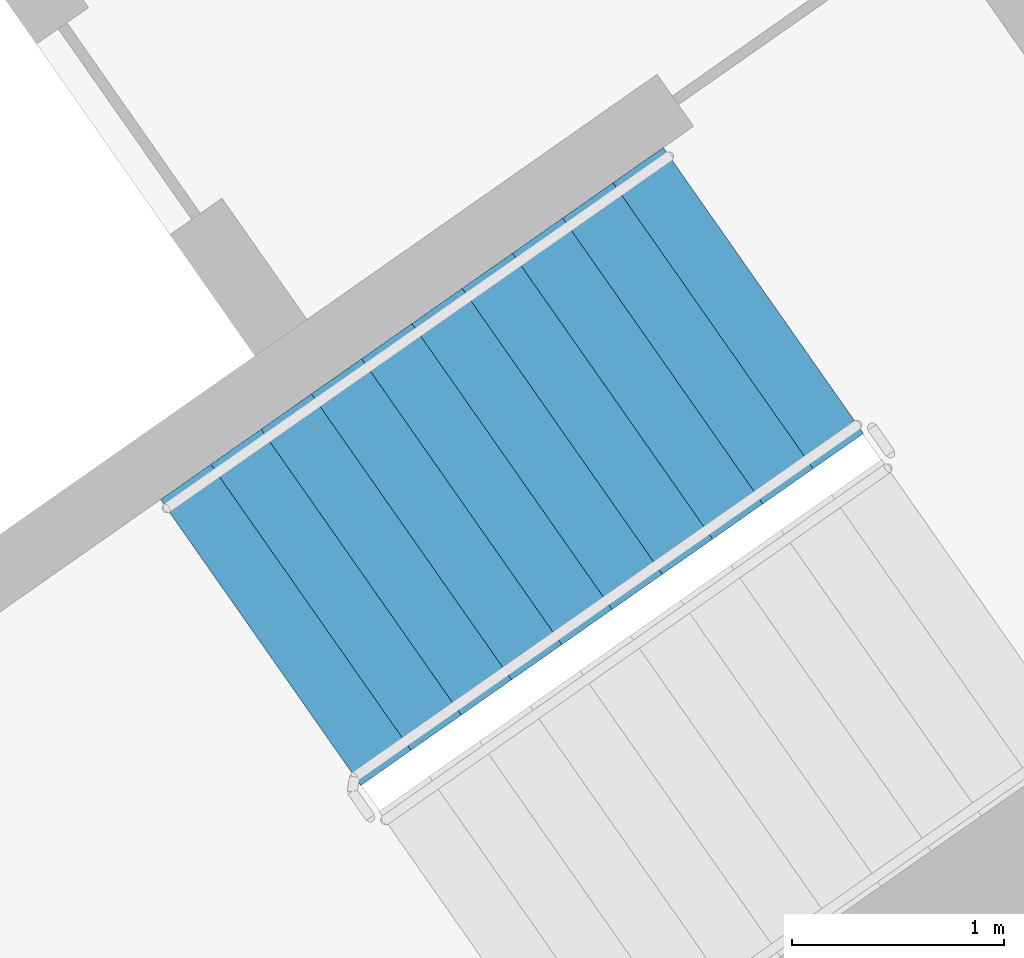
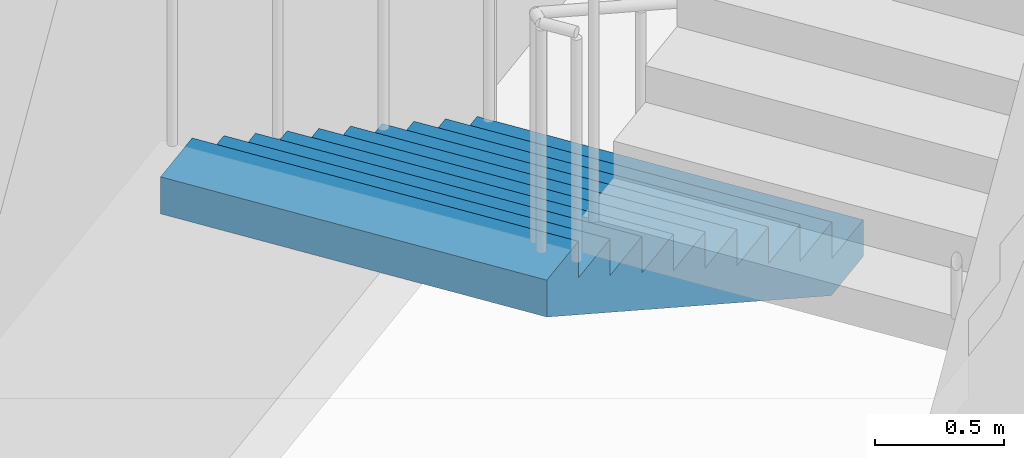
# One storey, part 13 of 28: 1 stair flight, 1 element without a shape of its own.
"""IFC4 building model written with IfcOpenShell, lengths in metres."""

from ifc_helpers import new_model, si_unit, direction, frame, origin, place, context, subcontext, project, spatial, faceted_brep, material, type_object, element, aggregate, save


model = new_model("IFC4")

# Units and contexts
model_context = context("Model", 3, precision=1e-05, world=origin(), true_north=direction((0.0, 1.0)))
body_context = subcontext(model_context, "Body", "Model", "MODEL_VIEW")
ifc_project = project(units=[si_unit("LENGTHUNIT", "METRE"), si_unit("AREAUNIT", "SQUARE_METRE"), si_unit("VOLUMEUNIT", "CUBIC_METRE"), si_unit("PLANEANGLEUNIT", "RADIAN"), si_unit("MASSUNIT", "GRAM", prefix="KILO")], contexts=[model_context])

# Site, building, storey
site_placement = place(None, origin())
site = spatial("IfcSite", under=ifc_project, at=site_placement, CompositionType="ELEMENT")
building_placement = place(site_placement, origin())
building = spatial("IfcBuilding", under=site, at=building_placement, Name="Qamariyya Broadcast Tower", CompositionType="ELEMENT")
storey_placement = place(building_placement, frame((0.0, 0.0, 249.300048828125)))
storey = spatial("IfcBuildingStorey", under=building, at=storey_placement, Name="L60", CompositionType="ELEMENT", Elevation=249.300048828125)

# Stair, stair flight
ifc_material = material(Name="Concrete C50/60", Category="concrete")
stair_type = type_object("IfcStairType", Name="Exit stair 22 risers of 173 mm", PredefinedType="HALF_TURN_STAIR", material=ifc_material)
stair_placement = place(storey_placement, origin())
stair = element("IfcStair", 1, at=stair_placement, inside=storey, type_object=stair_type, Name="L60 Stair E1", PredefinedType="HALF_TURN_STAIR")
stair_flight_type = type_object("IfcStairFlightType", Name="Exit stair flight 11 risers of 173 mm", PredefinedType="STRAIGHT", material=ifc_material)
stair_flight_placement = place(storey_placement, frame((46.036376953125, -55.508056640625, 0.0), z_axis=(0.0, 0.0, 1.0), x_axis=(-0.819152044289, -0.573576436351, 0.0)))
stair_flight = element("IfcStairFlight", 2, at=stair_flight_placement, type_object=stair_flight_type, Name="ST-E1 flight 1", NumberOfRisers=11, NumberOfTreads=10, PredefinedType="STRAIGHT", RiserHeight=0.172727273, TreadLength=0.29, context=body_context, shape_type="Brep", body=[
    faceted_brep([(0.0, 0.824951171875, 0.0), (0.0, 0.824951171875, 0.172607421875), (0.2900390625, 0.824951171875, 0.172607421875), (0.2900390625, 0.824951171875, 0.345458984375), (0.580078125, 0.824951171875, 0.345458984375), (0.580078125, 0.824951171875, 0.51806640625), (0.8701171875, 0.824951171875, 0.51806640625), (0.8701171875, 0.824951171875, 0.69091796875), (1.159912109375, 0.824951171875, 0.69091796875), (1.159912109375, 0.824951171875, 0.863525390625), (1.449951171875, 0.824951171875, 0.863525390625), (1.449951171875, 0.824951171875, 1.036376953125), (1.739990234375, 0.824951171875, 1.036376953125), (1.739990234375, 0.824951171875, 1.208984375), (2.030029296875, 0.824951171875, 1.208984375), (2.030029296875, 0.824951171875, 1.3818359375), (2.320068359375, 0.824951171875, 1.3818359375), (2.320068359375, 0.824951171875, 1.554443359375), (2.610107421875, 0.824951171875, 1.554443359375), (2.610107421875, 0.824951171875, 1.727294921875), (2.89990234375, 0.824951171875, 1.727294921875), (2.89990234375, 0.824951171875, 1.552734375), (0.29296875, 0.824951171875, 0.0), (0.29296875, -0.824951171875, 0.0), (2.89990234375, -0.824951171875, 1.552734375), (2.89990234375, -0.824951171875, 1.727294921875), (2.610107421875, -0.824951171875, 1.727294921875), (2.610107421875, -0.824951171875, 1.554443359375), (2.320068359375, -0.824951171875, 1.554443359375), (2.320068359375, -0.824951171875, 1.3818359375), (2.030029296875, -0.824951171875, 1.3818359375), (2.030029296875, -0.824951171875, 1.208984375), (1.739990234375, -0.824951171875, 1.208984375), (1.739990234375, -0.824951171875, 1.036376953125), (1.449951171875, -0.824951171875, 1.036376953125), (1.449951171875, -0.824951171875, 0.863525390625), (1.159912109375, -0.824951171875, 0.863525390625), (1.159912109375, -0.824951171875, 0.69091796875), (0.8701171875, -0.824951171875, 0.69091796875), (0.8701171875, -0.824951171875, 0.51806640625), (0.580078125, -0.824951171875, 0.51806640625), (0.580078125, -0.824951171875, 0.345458984375), (0.2900390625, -0.824951171875, 0.345458984375), (0.2900390625, -0.824951171875, 0.172607421875), (0.0, -0.824951171875, 0.172607421875), (0.0, -0.824951171875, 0.0), (0.0, 0.10009765625, 0.0), (0.0, 0.086669921875, 0.0), (0.0, 0.0732421875, 0.0), (0.0, 0.06005859375, 0.0), (0.0, 0.046630859375, 0.0), (0.0, 0.033447265625, 0.0), (0.0, 0.02001953125, 0.0), (0.0, 0.006591796875, 0.0), (0.0, -0.006591796875, 0.0), (0.0, -0.02001953125, 0.0), (0.0, -0.033447265625, 0.0), (0.0, -0.046630859375, 0.0), (0.0, -0.06005859375, 0.0), (0.0, -0.0732421875, 0.0), (0.0, -0.086669921875, 0.0), (0.0, -0.10009765625, 0.0), (0.0, -0.10009765625, 0.172607421875), (0.0, -0.086669921875, 0.172607421875), (0.0, -0.0732421875, 0.172607421875), (0.0, -0.06005859375, 0.172607421875), (0.0, -0.046630859375, 0.172607421875), (0.0, -0.033447265625, 0.172607421875), (0.0, -0.02001953125, 0.172607421875), (0.0, -0.006591796875, 0.172607421875), (0.0, 0.006591796875, 0.172607421875), (0.0, 0.02001953125, 0.172607421875), (0.0, 0.033447265625, 0.172607421875), (0.0, 0.046630859375, 0.172607421875), (0.0, 0.06005859375, 0.172607421875), (0.0, 0.0732421875, 0.172607421875), (0.0, 0.086669921875, 0.172607421875), (0.0, 0.10009765625, 0.172607421875), (0.2900390625, -0.10009765625, 0.172607421875), (0.2900390625, -0.086669921875, 0.172607421875), (0.2900390625, -0.0732421875, 0.172607421875), (0.2900390625, -0.06005859375, 0.172607421875), (0.2900390625, -0.046630859375, 0.172607421875), (0.2900390625, -0.033447265625, 0.172607421875), (0.2900390625, -0.02001953125, 0.172607421875), (0.2900390625, -0.006591796875, 0.172607421875), (0.2900390625, 0.006591796875, 0.172607421875), (0.2900390625, 0.02001953125, 0.172607421875), (0.2900390625, 0.033447265625, 0.172607421875), (0.2900390625, 0.046630859375, 0.172607421875), (0.2900390625, 0.06005859375, 0.172607421875), (0.2900390625, 0.0732421875, 0.172607421875), (0.2900390625, 0.086669921875, 0.172607421875), (0.2900390625, 0.10009765625, 0.172607421875), (0.2900390625, -0.10009765625, 0.345458984375), (0.2900390625, -0.086669921875, 0.345458984375), (0.2900390625, -0.0732421875, 0.345458984375), (0.2900390625, -0.06005859375, 0.345458984375), (0.2900390625, -0.046630859375, 0.345458984375), (0.2900390625, -0.033447265625, 0.345458984375), (0.2900390625, -0.02001953125, 0.345458984375), (0.2900390625, -0.006591796875, 0.345458984375), (0.2900390625, 0.006591796875, 0.345458984375), (0.2900390625, 0.02001953125, 0.345458984375), (0.2900390625, 0.033447265625, 0.345458984375), (0.2900390625, 0.046630859375, 0.345458984375), (0.2900390625, 0.06005859375, 0.345458984375), (0.2900390625, 0.0732421875, 0.345458984375), (0.2900390625, 0.086669921875, 0.345458984375), (0.2900390625, 0.10009765625, 0.345458984375), (0.580078125, -0.10009765625, 0.345458984375), (0.580078125, -0.086669921875, 0.345458984375), (0.580078125, -0.0732421875, 0.345458984375), (0.580078125, -0.06005859375, 0.345458984375), (0.580078125, -0.046630859375, 0.345458984375), (0.580078125, -0.033447265625, 0.345458984375), (0.580078125, -0.02001953125, 0.345458984375), (0.580078125, -0.006591796875, 0.345458984375), (0.580078125, 0.006591796875, 0.345458984375), (0.580078125, 0.02001953125, 0.345458984375), (0.580078125, 0.033447265625, 0.345458984375), (0.580078125, 0.046630859375, 0.345458984375), (0.580078125, 0.06005859375, 0.345458984375), (0.580078125, 0.0732421875, 0.345458984375), (0.580078125, 0.086669921875, 0.345458984375), (0.580078125, 0.10009765625, 0.345458984375), (0.580078125, -0.10009765625, 0.51806640625), (0.580078125, -0.086669921875, 0.51806640625), (0.580078125, -0.0732421875, 0.51806640625), (0.580078125, -0.06005859375, 0.51806640625), (0.580078125, -0.046630859375, 0.51806640625), (0.580078125, -0.033447265625, 0.51806640625), (0.580078125, -0.02001953125, 0.51806640625), (0.580078125, -0.006591796875, 0.51806640625), (0.580078125, 0.006591796875, 0.51806640625), (0.580078125, 0.02001953125, 0.51806640625), (0.580078125, 0.033447265625, 0.51806640625), (0.580078125, 0.046630859375, 0.51806640625), (0.580078125, 0.06005859375, 0.51806640625), (0.580078125, 0.0732421875, 0.51806640625), (0.580078125, 0.086669921875, 0.51806640625), (0.580078125, 0.10009765625, 0.51806640625), (0.8701171875, -0.10009765625, 0.51806640625), (0.8701171875, -0.086669921875, 0.51806640625), (0.8701171875, -0.0732421875, 0.51806640625), (0.8701171875, -0.06005859375, 0.51806640625), (0.8701171875, -0.046630859375, 0.51806640625), (0.8701171875, -0.033447265625, 0.51806640625), (0.8701171875, -0.02001953125, 0.51806640625), (0.8701171875, -0.006591796875, 0.51806640625), (0.8701171875, 0.006591796875, 0.51806640625), (0.8701171875, 0.02001953125, 0.51806640625), (0.8701171875, 0.033447265625, 0.51806640625), (0.8701171875, 0.046630859375, 0.51806640625), (0.8701171875, 0.06005859375, 0.51806640625), (0.8701171875, 0.0732421875, 0.51806640625), (0.8701171875, 0.086669921875, 0.51806640625), (0.8701171875, 0.10009765625, 0.51806640625), (0.8701171875, -0.10009765625, 0.69091796875), (0.8701171875, -0.086669921875, 0.69091796875), (0.8701171875, -0.0732421875, 0.69091796875), (0.8701171875, -0.06005859375, 0.69091796875), (0.8701171875, -0.046630859375, 0.69091796875), (0.8701171875, -0.033447265625, 0.69091796875), (0.8701171875, -0.02001953125, 0.69091796875), (0.8701171875, -0.006591796875, 0.69091796875), (0.8701171875, 0.006591796875, 0.69091796875), (0.8701171875, 0.02001953125, 0.69091796875), (0.8701171875, 0.033447265625, 0.69091796875), (0.8701171875, 0.046630859375, 0.69091796875), (0.8701171875, 0.06005859375, 0.69091796875), (0.8701171875, 0.0732421875, 0.69091796875), (0.8701171875, 0.086669921875, 0.69091796875), (0.8701171875, 0.10009765625, 0.69091796875), (1.159912109375, -0.10009765625, 0.69091796875), (1.159912109375, -0.086669921875, 0.69091796875), (1.159912109375, -0.0732421875, 0.69091796875), (1.159912109375, -0.06005859375, 0.69091796875), (1.159912109375, -0.046630859375, 0.69091796875), (1.159912109375, -0.033447265625, 0.69091796875), (1.159912109375, -0.02001953125, 0.69091796875), (1.159912109375, -0.006591796875, 0.69091796875), (1.159912109375, 0.006591796875, 0.69091796875), (1.159912109375, 0.02001953125, 0.69091796875), (1.159912109375, 0.033447265625, 0.69091796875), (1.159912109375, 0.046630859375, 0.69091796875), (1.159912109375, 0.06005859375, 0.69091796875), (1.159912109375, 0.0732421875, 0.69091796875), (1.159912109375, 0.086669921875, 0.69091796875), (1.159912109375, 0.10009765625, 0.69091796875), (1.159912109375, -0.10009765625, 0.863525390625), (1.159912109375, -0.086669921875, 0.863525390625), (1.159912109375, -0.0732421875, 0.863525390625), (1.159912109375, -0.06005859375, 0.863525390625), (1.159912109375, -0.046630859375, 0.863525390625), (1.159912109375, -0.033447265625, 0.863525390625), (1.159912109375, -0.02001953125, 0.863525390625), (1.159912109375, -0.006591796875, 0.863525390625), (1.159912109375, 0.006591796875, 0.863525390625), (1.159912109375, 0.02001953125, 0.863525390625), (1.159912109375, 0.033447265625, 0.863525390625), (1.159912109375, 0.046630859375, 0.863525390625), (1.159912109375, 0.06005859375, 0.863525390625), (1.159912109375, 0.0732421875, 0.863525390625), (1.159912109375, 0.086669921875, 0.863525390625), (1.159912109375, 0.10009765625, 0.863525390625), (1.449951171875, -0.10009765625, 0.863525390625), (1.449951171875, -0.086669921875, 0.863525390625), (1.449951171875, -0.0732421875, 0.863525390625), (1.449951171875, -0.06005859375, 0.863525390625), (1.449951171875, -0.046630859375, 0.863525390625), (1.449951171875, -0.033447265625, 0.863525390625), (1.449951171875, -0.02001953125, 0.863525390625), (1.449951171875, -0.006591796875, 0.863525390625), (1.449951171875, 0.006591796875, 0.863525390625), (1.449951171875, 0.02001953125, 0.863525390625), (1.449951171875, 0.033447265625, 0.863525390625), (1.449951171875, 0.046630859375, 0.863525390625), (1.449951171875, 0.06005859375, 0.863525390625), (1.449951171875, 0.0732421875, 0.863525390625), (1.449951171875, 0.086669921875, 0.863525390625), (1.449951171875, 0.10009765625, 0.863525390625), (1.449951171875, -0.10009765625, 1.036376953125), (1.449951171875, -0.086669921875, 1.036376953125), (1.449951171875, -0.0732421875, 1.036376953125), (1.449951171875, -0.06005859375, 1.036376953125), (1.449951171875, -0.046630859375, 1.036376953125), (1.449951171875, -0.033447265625, 1.036376953125), (1.449951171875, -0.02001953125, 1.036376953125), (1.449951171875, -0.006591796875, 1.036376953125), (1.449951171875, 0.006591796875, 1.036376953125), (1.449951171875, 0.02001953125, 1.036376953125), (1.449951171875, 0.033447265625, 1.036376953125), (1.449951171875, 0.046630859375, 1.036376953125), (1.449951171875, 0.06005859375, 1.036376953125), (1.449951171875, 0.0732421875, 1.036376953125), (1.449951171875, 0.086669921875, 1.036376953125), (1.449951171875, 0.10009765625, 1.036376953125), (1.739990234375, -0.10009765625, 1.036376953125), (1.739990234375, -0.086669921875, 1.036376953125), (1.739990234375, -0.0732421875, 1.036376953125), (1.739990234375, -0.06005859375, 1.036376953125), (1.739990234375, -0.046630859375, 1.036376953125), (1.739990234375, -0.033447265625, 1.036376953125), (1.739990234375, -0.02001953125, 1.036376953125), (1.739990234375, -0.006591796875, 1.036376953125), (1.739990234375, 0.006591796875, 1.036376953125), (1.739990234375, 0.02001953125, 1.036376953125), (1.739990234375, 0.033447265625, 1.036376953125), (1.739990234375, 0.046630859375, 1.036376953125), (1.739990234375, 0.06005859375, 1.036376953125), (1.739990234375, 0.0732421875, 1.036376953125), (1.739990234375, 0.086669921875, 1.036376953125), (1.739990234375, 0.10009765625, 1.036376953125), (1.739990234375, -0.10009765625, 1.208984375), (1.739990234375, -0.086669921875, 1.208984375), (1.739990234375, -0.0732421875, 1.208984375), (1.739990234375, -0.06005859375, 1.208984375), (1.739990234375, -0.046630859375, 1.208984375), (1.739990234375, -0.033447265625, 1.208984375), (1.739990234375, -0.02001953125, 1.208984375), (1.739990234375, -0.006591796875, 1.208984375), (1.739990234375, 0.006591796875, 1.208984375), (1.739990234375, 0.02001953125, 1.208984375), (1.739990234375, 0.033447265625, 1.208984375), (1.739990234375, 0.046630859375, 1.208984375), (1.739990234375, 0.06005859375, 1.208984375), (1.739990234375, 0.0732421875, 1.208984375), (1.739990234375, 0.086669921875, 1.208984375), (1.739990234375, 0.10009765625, 1.208984375), (2.030029296875, -0.10009765625, 1.208984375), (2.030029296875, -0.086669921875, 1.208984375), (2.030029296875, -0.0732421875, 1.208984375), (2.030029296875, -0.06005859375, 1.208984375), (2.030029296875, -0.046630859375, 1.208984375), (2.030029296875, -0.033447265625, 1.208984375), (2.030029296875, -0.02001953125, 1.208984375), (2.030029296875, -0.006591796875, 1.208984375), (2.030029296875, 0.006591796875, 1.208984375), (2.030029296875, 0.02001953125, 1.208984375), (2.030029296875, 0.033447265625, 1.208984375), (2.030029296875, 0.046630859375, 1.208984375), (2.030029296875, 0.06005859375, 1.208984375), (2.030029296875, 0.0732421875, 1.208984375), (2.030029296875, 0.086669921875, 1.208984375), (2.030029296875, 0.10009765625, 1.208984375), (2.030029296875, -0.10009765625, 1.3818359375), (2.030029296875, -0.086669921875, 1.3818359375), (2.030029296875, -0.0732421875, 1.3818359375), (2.030029296875, -0.06005859375, 1.3818359375), (2.030029296875, -0.046630859375, 1.3818359375), (2.030029296875, -0.033447265625, 1.3818359375), (2.030029296875, -0.02001953125, 1.3818359375), (2.030029296875, -0.006591796875, 1.3818359375), (2.030029296875, 0.006591796875, 1.3818359375), (2.030029296875, 0.02001953125, 1.3818359375), (2.030029296875, 0.033447265625, 1.3818359375), (2.030029296875, 0.046630859375, 1.3818359375), (2.030029296875, 0.06005859375, 1.3818359375), (2.030029296875, 0.0732421875, 1.3818359375), (2.030029296875, 0.086669921875, 1.3818359375), (2.030029296875, 0.10009765625, 1.3818359375), (2.320068359375, -0.10009765625, 1.3818359375), (2.320068359375, -0.086669921875, 1.3818359375), (2.320068359375, -0.0732421875, 1.3818359375), (2.320068359375, -0.06005859375, 1.3818359375), (2.320068359375, -0.046630859375, 1.3818359375), (2.320068359375, -0.033447265625, 1.3818359375), (2.320068359375, -0.02001953125, 1.3818359375), (2.320068359375, -0.006591796875, 1.3818359375), (2.320068359375, 0.006591796875, 1.3818359375), (2.320068359375, 0.02001953125, 1.3818359375), (2.320068359375, 0.033447265625, 1.3818359375), (2.320068359375, 0.046630859375, 1.3818359375), (2.320068359375, 0.06005859375, 1.3818359375), (2.320068359375, 0.0732421875, 1.3818359375), (2.320068359375, 0.086669921875, 1.3818359375), (2.320068359375, 0.10009765625, 1.3818359375), (2.320068359375, -0.10009765625, 1.554443359375), (2.320068359375, -0.086669921875, 1.554443359375), (2.320068359375, -0.0732421875, 1.554443359375), (2.320068359375, -0.06005859375, 1.554443359375), (2.320068359375, -0.046630859375, 1.554443359375), (2.320068359375, -0.033447265625, 1.554443359375), (2.320068359375, -0.02001953125, 1.554443359375), (2.320068359375, -0.006591796875, 1.554443359375), (2.320068359375, 0.006591796875, 1.554443359375), (2.320068359375, 0.02001953125, 1.554443359375), (2.320068359375, 0.033447265625, 1.554443359375), (2.320068359375, 0.046630859375, 1.554443359375), (2.320068359375, 0.06005859375, 1.554443359375), (2.320068359375, 0.0732421875, 1.554443359375), (2.320068359375, 0.086669921875, 1.554443359375), (2.320068359375, 0.10009765625, 1.554443359375), (2.610107421875, -0.10009765625, 1.554443359375), (2.610107421875, -0.086669921875, 1.554443359375), (2.610107421875, -0.0732421875, 1.554443359375), (2.610107421875, -0.06005859375, 1.554443359375), (2.610107421875, -0.046630859375, 1.554443359375), (2.610107421875, -0.033447265625, 1.554443359375), (2.610107421875, -0.02001953125, 1.554443359375), (2.610107421875, -0.006591796875, 1.554443359375), (2.610107421875, 0.006591796875, 1.554443359375), (2.610107421875, 0.02001953125, 1.554443359375), (2.610107421875, 0.033447265625, 1.554443359375), (2.610107421875, 0.046630859375, 1.554443359375), (2.610107421875, 0.06005859375, 1.554443359375), (2.610107421875, 0.0732421875, 1.554443359375), (2.610107421875, 0.086669921875, 1.554443359375), (2.610107421875, 0.10009765625, 1.554443359375), (2.610107421875, -0.10009765625, 1.727294921875), (2.610107421875, -0.086669921875, 1.727294921875), (2.610107421875, -0.0732421875, 1.727294921875), (2.610107421875, -0.06005859375, 1.727294921875), (2.610107421875, -0.046630859375, 1.727294921875), (2.610107421875, -0.033447265625, 1.727294921875), (2.610107421875, -0.02001953125, 1.727294921875), (2.610107421875, -0.006591796875, 1.727294921875), (2.610107421875, 0.006591796875, 1.727294921875), (2.610107421875, 0.02001953125, 1.727294921875), (2.610107421875, 0.033447265625, 1.727294921875), (2.610107421875, 0.046630859375, 1.727294921875), (2.610107421875, 0.06005859375, 1.727294921875), (2.610107421875, 0.0732421875, 1.727294921875), (2.610107421875, 0.086669921875, 1.727294921875), (2.610107421875, 0.10009765625, 1.727294921875), (2.89990234375, -0.10009765625, 1.727294921875), (2.89990234375, -0.086669921875, 1.727294921875), (2.89990234375, -0.0732421875, 1.727294921875), (2.89990234375, -0.06005859375, 1.727294921875), (2.89990234375, -0.046630859375, 1.727294921875), (2.89990234375, -0.033447265625, 1.727294921875), (2.89990234375, -0.02001953125, 1.727294921875), (2.89990234375, -0.006591796875, 1.727294921875), (2.89990234375, 0.006591796875, 1.727294921875), (2.89990234375, 0.02001953125, 1.727294921875), (2.89990234375, 0.033447265625, 1.727294921875), (2.89990234375, 0.046630859375, 1.727294921875), (2.89990234375, 0.06005859375, 1.727294921875), (2.89990234375, 0.0732421875, 1.727294921875), (2.89990234375, 0.086669921875, 1.727294921875), (2.89990234375, 0.10009765625, 1.727294921875), (2.89990234375, -0.10009765625, 1.552734375), (2.89990234375, -0.086669921875, 1.552734375), (2.89990234375, -0.0732421875, 1.552734375), (2.89990234375, -0.06005859375, 1.552734375), (2.89990234375, -0.046630859375, 1.552734375), (2.89990234375, -0.033447265625, 1.552734375), (2.89990234375, -0.02001953125, 1.552734375), (2.89990234375, -0.006591796875, 1.552734375), (2.89990234375, 0.006591796875, 1.552734375), (2.89990234375, 0.02001953125, 1.552734375), (2.89990234375, 0.033447265625, 1.552734375), (2.89990234375, 0.046630859375, 1.552734375), (2.89990234375, 0.06005859375, 1.552734375), (2.89990234375, 0.0732421875, 1.552734375), (2.89990234375, 0.086669921875, 1.552734375), (2.89990234375, 0.10009765625, 1.552734375), (0.29296875, -0.10009765625, 0.0), (0.29296875, -0.086669921875, 0.0), (0.29296875, -0.0732421875, 0.0), (0.29296875, -0.06005859375, 0.0), (0.29296875, -0.046630859375, 0.0), (0.29296875, -0.033447265625, 0.0), (0.29296875, -0.02001953125, 0.0), (0.29296875, -0.006591796875, 0.0), (0.29296875, 0.006591796875, 0.0), (0.29296875, 0.02001953125, 0.0), (0.29296875, 0.033447265625, 0.0), (0.29296875, 0.046630859375, 0.0), (0.29296875, 0.06005859375, 0.0), (0.29296875, 0.0732421875, 0.0), (0.29296875, 0.086669921875, 0.0), (0.29296875, 0.10009765625, 0.0)], [[[0, 1, 2, 3, 4, 5, 6, 7, 8, 9, 10, 11, 12, 13, 14, 15, 16, 17, 18, 19, 20, 21, 22]], [[23, 24, 25, 26, 27, 28, 29, 30, 31, 32, 33, 34, 35, 36, 37, 38, 39, 40, 41, 42, 43, 44, 45]], [[0, 46, 47, 48, 49, 50, 51, 52, 53, 54, 55, 56, 57, 58, 59, 60, 61, 45, 44, 62, 63, 64, 65, 66, 67, 68, 69, 70, 71, 72, 73, 74, 75, 76, 77, 1]], [[1, 77, 76, 75, 74, 73, 72, 71, 70, 69, 68, 67, 66, 65, 64, 63, 62, 44, 43, 78, 79, 80, 81, 82, 83, 84, 85, 86, 87, 88, 89, 90, 91, 92, 93, 2]], [[2, 93, 92, 91, 90, 89, 88, 87, 86, 85, 84, 83, 82, 81, 80, 79, 78, 43, 42, 94, 95, 96, 97, 98, 99, 100, 101, 102, 103, 104, 105, 106, 107, 108, 109, 3]], [[3, 109, 108, 107, 106, 105, 104, 103, 102, 101, 100, 99, 98, 97, 96, 95, 94, 42, 41, 110, 111, 112, 113, 114, 115, 116, 117, 118, 119, 120, 121, 122, 123, 124, 125, 4]], [[4, 125, 124, 123, 122, 121, 120, 119, 118, 117, 116, 115, 114, 113, 112, 111, 110, 41, 40, 126, 127, 128, 129, 130, 131, 132, 133, 134, 135, 136, 137, 138, 139, 140, 141, 5]], [[5, 141, 140, 139, 138, 137, 136, 135, 134, 133, 132, 131, 130, 129, 128, 127, 126, 40, 39, 142, 143, 144, 145, 146, 147, 148, 149, 150, 151, 152, 153, 154, 155, 156, 157, 6]], [[6, 157, 156, 155, 154, 153, 152, 151, 150, 149, 148, 147, 146, 145, 144, 143, 142, 39, 38, 158, 159, 160, 161, 162, 163, 164, 165, 166, 167, 168, 169, 170, 171, 172, 173, 7]], [[7, 173, 172, 171, 170, 169, 168, 167, 166, 165, 164, 163, 162, 161, 160, 159, 158, 38, 37, 174, 175, 176, 177, 178, 179, 180, 181, 182, 183, 184, 185, 186, 187, 188, 189, 8]], [[8, 189, 188, 187, 186, 185, 184, 183, 182, 181, 180, 179, 178, 177, 176, 175, 174, 37, 36, 190, 191, 192, 193, 194, 195, 196, 197, 198, 199, 200, 201, 202, 203, 204, 205, 9]], [[9, 205, 204, 203, 202, 201, 200, 199, 198, 197, 196, 195, 194, 193, 192, 191, 190, 36, 35, 206, 207, 208, 209, 210, 211, 212, 213, 214, 215, 216, 217, 218, 219, 220, 221, 10]], [[10, 221, 220, 219, 218, 217, 216, 215, 214, 213, 212, 211, 210, 209, 208, 207, 206, 35, 34, 222, 223, 224, 225, 226, 227, 228, 229, 230, 231, 232, 233, 234, 235, 236, 237, 11]], [[11, 237, 236, 235, 234, 233, 232, 231, 230, 229, 228, 227, 226, 225, 224, 223, 222, 34, 33, 238, 239, 240, 241, 242, 243, 244, 245, 246, 247, 248, 249, 250, 251, 252, 253, 12]], [[12, 253, 252, 251, 250, 249, 248, 247, 246, 245, 244, 243, 242, 241, 240, 239, 238, 33, 32, 254, 255, 256, 257, 258, 259, 260, 261, 262, 263, 264, 265, 266, 267, 268, 269, 13]], [[13, 269, 268, 267, 266, 265, 264, 263, 262, 261, 260, 259, 258, 257, 256, 255, 254, 32, 31, 270, 271, 272, 273, 274, 275, 276, 277, 278, 279, 280, 281, 282, 283, 284, 285, 14]], [[14, 285, 284, 283, 282, 281, 280, 279, 278, 277, 276, 275, 274, 273, 272, 271, 270, 31, 30, 286, 287, 288, 289, 290, 291, 292, 293, 294, 295, 296, 297, 298, 299, 300, 301, 15]], [[15, 301, 300, 299, 298, 297, 296, 295, 294, 293, 292, 291, 290, 289, 288, 287, 286, 30, 29, 302, 303, 304, 305, 306, 307, 308, 309, 310, 311, 312, 313, 314, 315, 316, 317, 16]], [[16, 317, 316, 315, 314, 313, 312, 311, 310, 309, 308, 307, 306, 305, 304, 303, 302, 29, 28, 318, 319, 320, 321, 322, 323, 324, 325, 326, 327, 328, 329, 330, 331, 332, 333, 17]], [[17, 333, 332, 331, 330, 329, 328, 327, 326, 325, 324, 323, 322, 321, 320, 319, 318, 28, 27, 334, 335, 336, 337, 338, 339, 340, 341, 342, 343, 344, 345, 346, 347, 348, 349, 18]], [[18, 349, 348, 347, 346, 345, 344, 343, 342, 341, 340, 339, 338, 337, 336, 335, 334, 27, 26, 350, 351, 352, 353, 354, 355, 356, 357, 358, 359, 360, 361, 362, 363, 364, 365, 19]], [[19, 365, 364, 363, 362, 361, 360, 359, 358, 357, 356, 355, 354, 353, 352, 351, 350, 26, 25, 366, 367, 368, 369, 370, 371, 372, 373, 374, 375, 376, 377, 378, 379, 380, 381, 20]], [[20, 381, 380, 379, 378, 377, 376, 375, 374, 373, 372, 371, 370, 369, 368, 367, 366, 25, 24, 382, 383, 384, 385, 386, 387, 388, 389, 390, 391, 392, 393, 394, 395, 396, 397, 21]], [[21, 397, 396, 395, 394, 393, 392, 391, 390, 389, 388, 387, 386, 385, 384, 383, 382, 24, 23, 398, 399, 400, 401, 402, 403, 404, 405, 406, 407, 408, 409, 410, 411, 412, 413, 22]], [[22, 413, 412, 411, 410, 409, 408, 407, 406, 405, 404, 403, 402, 401, 400, 399, 398, 23, 45, 61, 60, 59, 58, 57, 56, 55, 54, 53, 52, 51, 50, 49, 48, 47, 46, 0]]]),
])
aggregate(stair, [stair_flight])

save(model, "model.ifc")
